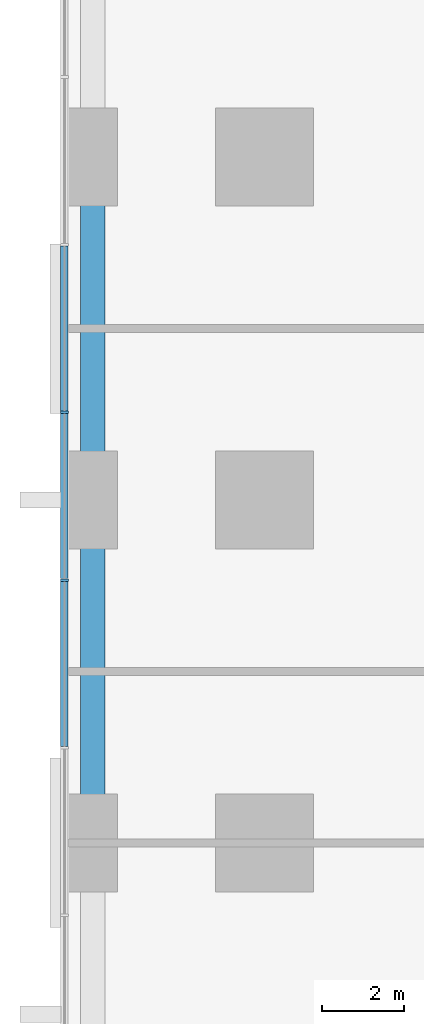
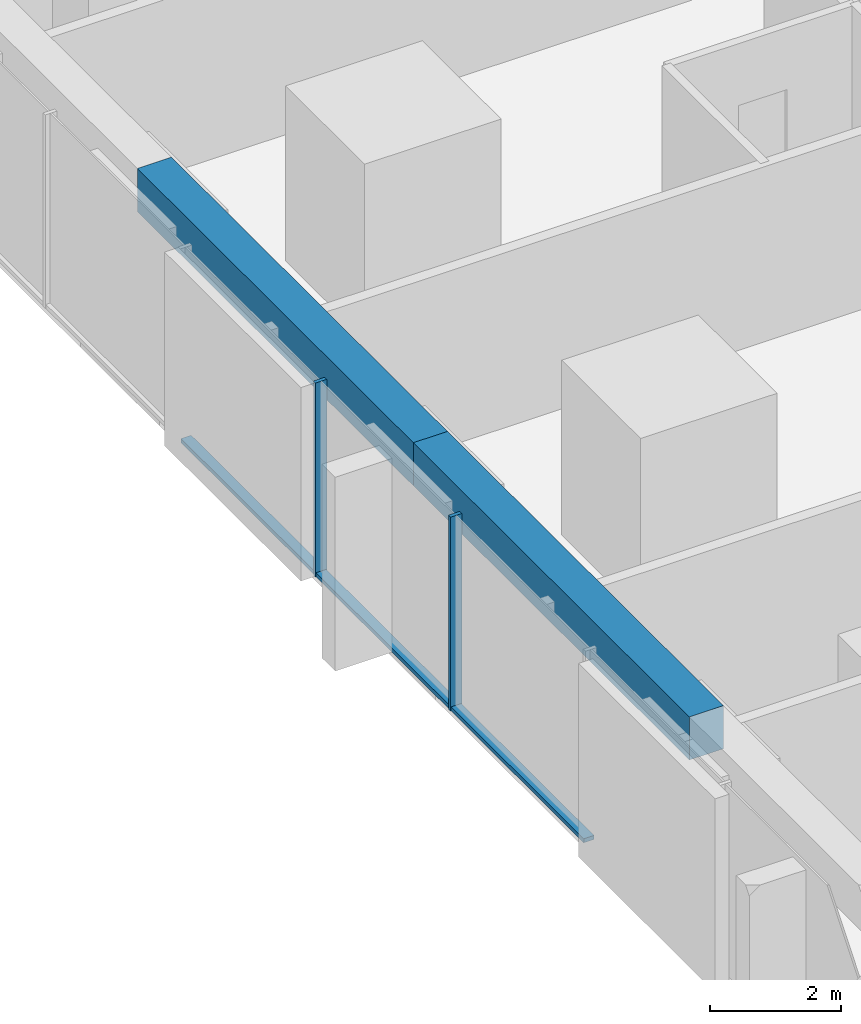
# One storey, part 3 of 17: 5 members, 2 beams, 1 element without a shape of its own.
"""IFC4 building model written with IfcOpenShell, lengths in metres."""

from ifc_helpers import new_model, si_unit, direction, frame, origin, origin_2d, place, context, subcontext, project, spatial, rectangle, extrude, material, material_profile, profile_set, type_object, element, aggregate, save


model = new_model("IFC4")

# Units and contexts
model_context = context("Model", 3, precision=1e-05, world=origin(), true_north=direction((0.0, 1.0)))
body_context = subcontext(model_context, "Body", "Model", "MODEL_VIEW")
ifc_project = project(units=[si_unit("LENGTHUNIT", "METRE"), si_unit("AREAUNIT", "SQUARE_METRE"), si_unit("VOLUMEUNIT", "CUBIC_METRE"), si_unit("PLANEANGLEUNIT", "RADIAN"), si_unit("MASSUNIT", "GRAM", prefix="KILO")], contexts=[model_context])

# Site, building, storey
site_placement = place(None, origin())
site = spatial("IfcSite", under=ifc_project, at=site_placement, CompositionType="ELEMENT")
building_placement = place(site_placement, origin())
building = spatial("IfcBuilding", under=site, at=building_placement, Name="Dunama Terrace Hotel", CompositionType="ELEMENT")
storey_placement = place(building_placement, frame((0.0, 0.0, 81.0)))
storey = spatial("IfcBuildingStorey", under=building, at=storey_placement, Name="L20", CompositionType="ELEMENT", Elevation=81.0)

# Curtain wall, members
ifc_material_1 = material(Name="Aluminium curtain wall system", Category="aluminium")
curtain_wall_type = type_object("IfcCurtainWallType", Name="Unitised fritted glass wall CW-A", PredefinedType="NOTDEFINED", material=ifc_material_1)
curtain_wall_placement = place(storey_placement, origin())
curtain_wall = element("IfcCurtainWall", 1, at=curtain_wall_placement, inside=storey, type_object=curtain_wall_type, Name="Unitised fritted glass wall CW-A L20", PredefinedType="NOTDEFINED")
ifc_material_2 = material(Name="Aluminium mullion", Category="aluminium")
ifc_material_profile_1 = material_profile(ifc_material_2, rectangle(XDim=0.06494140625, YDim=0.199951171875, at=origin_2d()), Name="CWA MULLION 65X200")
ifc_profile_set_1 = profile_set([ifc_material_profile_1], Name="Aluminium mullion")
member_type_1 = type_object("IfcMemberType", Name="CWA mullion 65x200", PredefinedType="MULLION", material=ifc_profile_set_1)
member_1_placement = place(storey_placement, frame((-0.10009765625, 27.345947265625, 0.0), z_axis=(0.0, 0.0, 1.0), x_axis=(0.0, -1.0, 0.0)))
member_1 = element("IfcMember", 2, at=member_1_placement, type_object=member_type_1, Name="CWA mullion", PredefinedType="MULLION", context=body_context, shape_type="SweptSolid", body=[
    extrude(rectangle(XDim=0.06494140625, YDim=0.199951171875, at=origin_2d()), origin(), (0.0, 0.0, 1.0), 3.60009765625),
])
member_2_placement = place(storey_placement, frame((-0.10009765625, 23.238037109375, 0.0), z_axis=(0.0, 0.0, 1.0), x_axis=(0.0, -1.0, 0.0)))
member_2 = element("IfcMember", 3, at=member_2_placement, type_object=member_type_1, Name="CWA mullion", PredefinedType="MULLION", context=body_context, shape_type="SweptSolid", body=[
    extrude(rectangle(XDim=0.06494140625, YDim=0.199951171875, at=origin_2d()), origin(), (0.0, 0.0, 1.0), 3.60009765625),
])
ifc_material_3 = material(Name="Aluminium transom", Category="aluminium")
ifc_material_profile_2 = material_profile(ifc_material_3, rectangle(XDim=0.179931640625, YDim=0.074951171875, at=origin_2d()), Name="CWA TRANSOM 180X75")
ifc_profile_set_2 = profile_set([ifc_material_profile_2], Name="Aluminium transom")
member_type_2 = type_object("IfcMemberType", Name="CWA transom 180x75", PredefinedType="USERDEFINED", material=ifc_profile_set_2)
member_3_placement = place(storey_placement, frame((-0.10009765625, 31.4208984375, 0.03759765625), z_axis=(0.0, -1.0, 0.0), x_axis=(1.0, 0.0, 0.0)))
member_3 = element("IfcMember", 4, at=member_3_placement, type_object=member_type_2, Name="CWA transom", ObjectType="TRANSOM", PredefinedType="USERDEFINED", context=body_context, shape_type="SweptSolid", body=[
    extrude(rectangle(XDim=0.179931640625, YDim=0.074951171875, at=origin_2d()), origin(), (0.0, 0.0, 1.0), 4.0419921875),
])
member_4_placement = place(storey_placement, frame((-0.10009765625, 27.31396484375, 0.03759765625), z_axis=(0.0, -1.0, 0.0), x_axis=(1.0, 0.0, 0.0)))
member_4 = element("IfcMember", 5, at=member_4_placement, type_object=member_type_2, Name="CWA transom", ObjectType="TRANSOM", PredefinedType="USERDEFINED", context=body_context, shape_type="SweptSolid", body=[
    extrude(rectangle(XDim=0.179931640625, YDim=0.074951171875, at=origin_2d()), origin(), (0.0, 0.0, 1.0), 4.04296875),
])
member_5_placement = place(storey_placement, frame((-0.10009765625, 23.2060546875, 0.03759765625), z_axis=(0.0, -1.0, 0.0), x_axis=(1.0, 0.0, 0.0)))
member_5 = element("IfcMember", 6, at=member_5_placement, type_object=member_type_2, Name="CWA transom", ObjectType="TRANSOM", PredefinedType="USERDEFINED", context=body_context, shape_type="SweptSolid", body=[
    extrude(rectangle(XDim=0.179931640625, YDim=0.074951171875, at=origin_2d()), origin(), (0.0, 0.0, 1.0), 4.04296875),
])
aggregate(curtain_wall, [member_1, member_2, member_3, member_4, member_5])

# Beams
ifc_material_4 = material(Name="Concrete C40/50", Category="concrete")
ifc_material_profile_3 = material_profile(ifc_material_4, rectangle(XDim=0.60009765625, YDim=0.800048828125, at=origin_2d()), Name="RC 600x800")
ifc_profile_set_3 = profile_set([ifc_material_profile_3], Name="Concrete C40/50")
beam_type = type_object("IfcBeamType", Name="Edge beam RC 600x800", PredefinedType="SPANDREL", material=ifc_profile_set_3)
beam_1_placement = place(storey_placement, frame((0.60009765625, 16.800048828125, 3.199951171875), z_axis=(0.0, 1.0, 0.0), x_axis=(-1.0, 0.0, 0.0)))
element("IfcBeam", 7, at=beam_1_placement, inside=storey, type_object=beam_type, Name="Edge beam under L21", PredefinedType="SPANDREL", context=body_context, shape_type="SweptSolid", body=[
    extrude(rectangle(XDim=0.60009765625, YDim=0.800048828125, at=origin_2d()), origin(), (0.0, 0.0, 1.0), 8.39990234375),
])
beam_2_placement = place(storey_placement, frame((0.60009765625, 25.199951171875, 3.199951171875), z_axis=(0.0, 1.0, 0.0), x_axis=(-1.0, 0.0, 0.0)))
element("IfcBeam", 8, at=beam_2_placement, inside=storey, type_object=beam_type, Name="Edge beam under L21", PredefinedType="SPANDREL", context=body_context, shape_type="SweptSolid", body=[
    extrude(rectangle(XDim=0.60009765625, YDim=0.800048828125, at=origin_2d()), origin(), (0.0, 0.0, 1.0), 8.400146484375),
])

save(model, "model.ifc")
